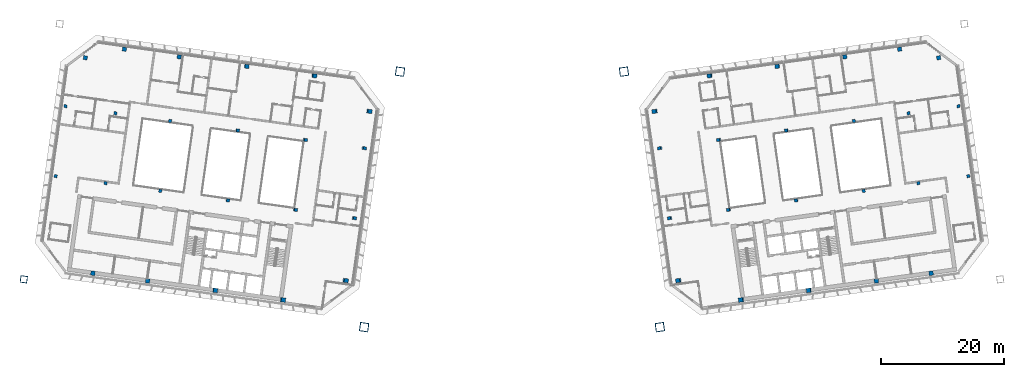
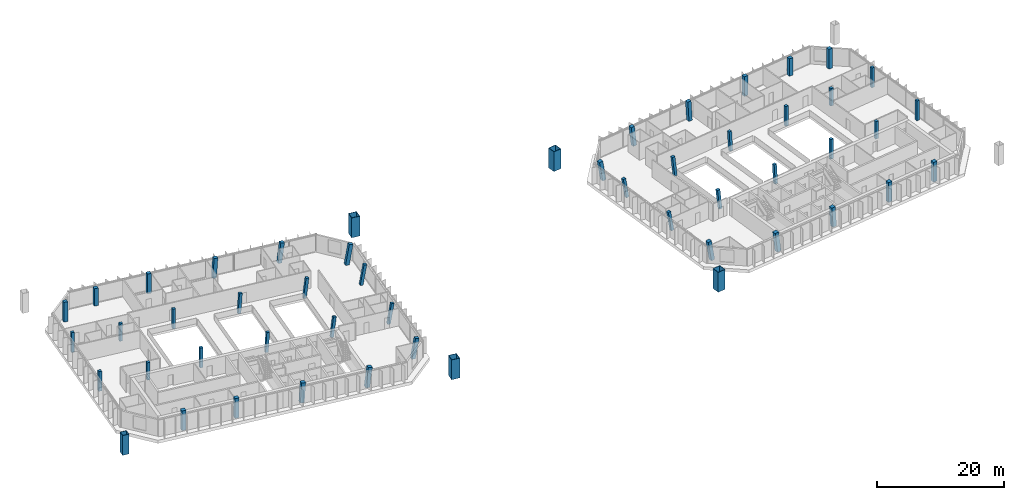
# One storey, part 1 of 20: 50 columns, 1 member.
"""IFC4 building model written with IfcOpenShell, lengths in metres."""

from ifc_helpers import new_model, si_unit, direction, frame, origin, origin_2d, place, context, subcontext, project, spatial, rectangle, hollow_rectangle, extrude, material, material_profile, profile_set, type_object, element, save


model = new_model("IFC4")

# Units and contexts
model_context = context("Model", 3, precision=1e-05, world=origin(), true_north=direction((0.0, 1.0)))
body_context = subcontext(model_context, "Body", "Model", "MODEL_VIEW")
ifc_project = project(units=[si_unit("LENGTHUNIT", "METRE"), si_unit("AREAUNIT", "SQUARE_METRE"), si_unit("VOLUMEUNIT", "CUBIC_METRE"), si_unit("PLANEANGLEUNIT", "RADIAN"), si_unit("MASSUNIT", "GRAM", prefix="KILO")], contexts=[model_context])

# Site, building, storey
site_placement = place(None, origin())
site = spatial("IfcSite", under=ifc_project, at=site_placement, CompositionType="ELEMENT")
building_placement = place(site_placement, origin())
building = spatial("IfcBuilding", under=site, at=building_placement, Name="Mirante Cascada Hotel Towers", CompositionType="ELEMENT")
storey_placement = place(building_placement, frame((0.0, 0.0, 224.2)))
storey = spatial("IfcBuildingStorey", under=building, at=storey_placement, Name="L53", CompositionType="ELEMENT", Elevation=224.2)

# Columns
ifc_material_1 = material(Name="Steel ASTM A572 Gr 50", Category="steel")
ifc_material_profile_1 = material_profile(ifc_material_1, hollow_rectangle(XDim=1.4, YDim=1.4, WallThickness=0.06, at=origin_2d()), Name="Box column 1400x1400x60 ASTM A572 Gr 50")
ifc_profile_set_1 = profile_set([ifc_material_profile_1], Name="Steel ASTM A572 Gr 50")
column_type_1 = type_object("IfcColumnType", Name="Box column 1400x1400x60 ASTM A572 Gr 50", PredefinedType="COLUMN", material=ifc_profile_set_1)
for number, where, z_axis, x_axis, name in (
    (1, (-18.2261, 17.5517, 0.0), (0.0, 0.0, 1.0), (-0.9902681, 0.1391731, 0.0), "Mega column MC1 T1 L53"),
    (2, (-24.0713, -24.0396, 0.0), (0.0, 0.0, 1.0), (-0.9902681, 0.1391731, 0.0), "Mega column MC2 T1 L53"),
    (3, (18.2261, 17.5517, 0.0), (0.0, 0.0, 1.0), (0.9902681, 0.1391731, 0.0), "Mega column MC1 T2 L53"),
    (4, (24.0713, -24.0396, 0.0), (0.0, 0.0, 1.0), (0.9902681, 0.1391731, 0.0), "Mega column MC2 T2 L53"),
):
    element("IfcColumn", number, at=place(storey_placement, frame(where, z_axis=z_axis, x_axis=x_axis)), inside=storey, type_object=column_type_1, Name=name, PredefinedType="COLUMN", context=body_context, shape_type="SweptSolid", body=[
        extrude(hollow_rectangle(XDim=1.4, YDim=1.4, WallThickness=0.06, at=origin_2d()), origin(), (0.0, 0.0, 1.0), 3.8),
    ])
ifc_material_2 = material(Name="Concrete C50/60", Category="concrete")
ifc_material_profile_2 = material_profile(ifc_material_2, rectangle(XDim=0.5, YDim=0.5, at=origin_2d()), Name="RC column 500x500 C50/60")
ifc_profile_set_2 = profile_set([ifc_material_profile_2], Name="Concrete C50/60")
column_type_2 = type_object("IfcColumnType", Name="RC column 500x500 C50/60", PredefinedType="COLUMN", material=ifc_profile_set_2)
for number, where, z_axis, x_axis, name in (
    (5, (-24.1471, 5.1046, 0.0039), (0.1663433, -0.0233957, 0.9857903), (0.1392762, 0.9902536, 0.0), "Column T1 L53 2"),
    (6, (-25.7476, -6.2835, 0.0039), (0.1663434, -0.0233697, 0.9857909), (0.1391244, 0.9902749, 0.0), "Column T1 L53 3"),
):
    element("IfcColumn", number, at=place(storey_placement, frame(where, z_axis=z_axis, x_axis=x_axis)), inside=storey, type_object=column_type_2, Name=name, PredefinedType="COLUMN", context=body_context, shape_type="SweptSolid", body=[
        extrude(rectangle(XDim=0.5, YDim=0.5, at=origin_2d()), origin(), (0.0, 0.0, 1.0), 3.8469),
    ])
for number, where, z_axis, x_axis, name in (
    (7, (-33.6907, 6.4458, 0.004), (0.1180344, -0.016574, 0.9928712), (0.1390529, 0.990285, 0.0), "Column T1 L53 6"),
    (8, (-35.2912, -4.9422, 0.004), (0.1180343, -0.0166002, 0.9928708), (0.1392683, 0.9902547, 0.0), "Column T1 L53 7"),
):
    element("IfcColumn", number, at=place(storey_placement, frame(where, z_axis=z_axis, x_axis=x_axis)), inside=storey, type_object=column_type_2, Name=name, PredefinedType="COLUMN", context=body_context, shape_type="SweptSolid", body=[
        extrude(rectangle(XDim=0.5, YDim=0.5, at=origin_2d()), origin(), (0.0, 0.0, 1.0), 3.8192),
    ])
for number, where, z_axis, x_axis, name in (
    (9, (-44.6677, 7.9886, 0.004), (0.0593341, -0.0083447, 0.9982033), (0.1392683, 0.9902547, 0.0), "Column T1 L53 10"),
    (10, (-46.2682, -3.3995, 0.004), (0.0593341, -0.0083447, 0.9982033), (0.1392683, 0.9902547, 0.0), "Column T1 L53 11"),
):
    element("IfcColumn", number, at=place(storey_placement, frame(where, z_axis=z_axis, x_axis=x_axis)), inside=storey, type_object=column_type_2, Name=name, PredefinedType="COLUMN", context=body_context, shape_type="SweptSolid", body=[
        extrude(rectangle(XDim=0.5, YDim=0.5, at=origin_2d()), origin(), (0.0, 0.0, 1.0), 3.7988),
    ])
for number, where, z_axis, x_axis, name in (
    (11, (-55.6447, 9.5313, 0.0), (0.0, 0.0, 1.0), (-0.9902681, 0.1391731, 0.0), "Column T1 L53 14"),
    (12, (-57.2452, -1.8568, 0.0), (0.0, 0.0, 1.0), (-0.9902681, 0.1391731, 0.0), "Column T1 L53 15"),
):
    element("IfcColumn", number, at=place(storey_placement, frame(where, z_axis=z_axis, x_axis=x_axis)), inside=storey, type_object=column_type_2, Name=name, PredefinedType="COLUMN", context=body_context, shape_type="SweptSolid", body=[
        extrude(rectangle(XDim=0.5, YDim=0.5, at=origin_2d()), origin(), (0.0, 0.0, 1.0), 3.8),
    ])
for number, where, z_axis, x_axis, name in (
    (13, (-64.5571, 10.7838, 0.0), (0.0, 0.0, 1.0), (-0.9902681, 0.1391731, 0.0), "Column T1 L53 18"),
    (14, (-66.1576, -0.6042, 0.0), (0.0, 0.0, 1.0), (-0.9902681, 0.1391731, 0.0), "Column T1 L53 19"),
):
    element("IfcColumn", number, at=place(storey_placement, frame(where, z_axis=z_axis, x_axis=x_axis)), inside=storey, type_object=column_type_2, Name=name, PredefinedType="COLUMN", context=body_context, shape_type="SweptSolid", body=[
        extrude(rectangle(XDim=0.5, YDim=0.5, at=origin_2d()), origin(), (0.0, 0.0, 1.0), 3.3539),
    ])
for number, where, z_axis, x_axis, name in (
    (15, (-72.6773, 11.9251, 0.0), (0.0, 0.0, 1.0), (-0.9902681, 0.1391731, 0.0), "Column T1 L53 22"),
    (16, (-74.2778, 0.537, 0.0), (0.0, 0.0, 1.0), (-0.9902681, 0.1391731, 0.0), "Column T1 L53 23"),
):
    element("IfcColumn", number, at=place(storey_placement, frame(where, z_axis=z_axis, x_axis=x_axis)), inside=storey, type_object=column_type_2, Name=name, PredefinedType="COLUMN", context=body_context, shape_type="SweptSolid", body=[
        extrude(rectangle(XDim=0.5, YDim=0.5, at=origin_2d()), origin(), (0.0, 0.0, 1.0), 3.8),
    ])
for number, where, z_axis, x_axis, name in (
    (17, (24.1471, 5.1046, 0.0039), (-0.1663433, -0.0233957, 0.9857903), (0.1392762, -0.9902536, 0.0), "Column T2 L53 2"),
    (18, (25.7476, -6.2835, 0.0039), (-0.1663434, -0.0233697, 0.9857909), (0.1391244, -0.9902749, 0.0), "Column T2 L53 3"),
):
    element("IfcColumn", number, at=place(storey_placement, frame(where, z_axis=z_axis, x_axis=x_axis)), inside=storey, type_object=column_type_2, Name=name, PredefinedType="COLUMN", context=body_context, shape_type="SweptSolid", body=[
        extrude(rectangle(XDim=0.5, YDim=0.5, at=origin_2d()), origin(), (0.0, 0.0, 1.0), 3.8469),
    ])
for number, where, z_axis, x_axis, name in (
    (19, (33.6907, 6.4458, 0.004), (-0.1180344, -0.016574, 0.9928712), (0.1390529, -0.990285, 0.0), "Column T2 L53 6"),
    (20, (35.2912, -4.9422, 0.004), (-0.1180343, -0.0166002, 0.9928708), (0.1392683, -0.9902547, 0.0), "Column T2 L53 7"),
):
    element("IfcColumn", number, at=place(storey_placement, frame(where, z_axis=z_axis, x_axis=x_axis)), inside=storey, type_object=column_type_2, Name=name, PredefinedType="COLUMN", context=body_context, shape_type="SweptSolid", body=[
        extrude(rectangle(XDim=0.5, YDim=0.5, at=origin_2d()), origin(), (0.0, 0.0, 1.0), 3.8192),
    ])
for number, where, z_axis, x_axis, name in (
    (21, (44.6677, 7.9886, 0.004), (-0.0593341, -0.0083447, 0.9982033), (0.1392683, -0.9902547, 0.0), "Column T2 L53 10"),
    (22, (46.2682, -3.3995, 0.004), (-0.0593341, -0.0083447, 0.9982033), (0.1392683, -0.9902547, 0.0), "Column T2 L53 11"),
):
    element("IfcColumn", number, at=place(storey_placement, frame(where, z_axis=z_axis, x_axis=x_axis)), inside=storey, type_object=column_type_2, Name=name, PredefinedType="COLUMN", context=body_context, shape_type="SweptSolid", body=[
        extrude(rectangle(XDim=0.5, YDim=0.5, at=origin_2d()), origin(), (0.0, 0.0, 1.0), 3.7988),
    ])
for number, where, z_axis, x_axis, name in (
    (23, (55.6447, 9.5313, 0.0), (0.0, 0.0, 1.0), (0.9902681, 0.1391731, 0.0), "Column T2 L53 14"),
    (24, (57.2452, -1.8568, 0.0), (0.0, 0.0, 1.0), (0.9902681, 0.1391731, 0.0), "Column T2 L53 15"),
):
    element("IfcColumn", number, at=place(storey_placement, frame(where, z_axis=z_axis, x_axis=x_axis)), inside=storey, type_object=column_type_2, Name=name, PredefinedType="COLUMN", context=body_context, shape_type="SweptSolid", body=[
        extrude(rectangle(XDim=0.5, YDim=0.5, at=origin_2d()), origin(), (0.0, 0.0, 1.0), 3.8),
    ])
for number, where, z_axis, x_axis, name in (
    (25, (64.5571, 10.7838, 0.0), (0.0, 0.0, 1.0), (0.9902681, 0.1391731, 0.0), "Column T2 L53 18"),
    (26, (66.1576, -0.6042, 0.0), (0.0, 0.0, 1.0), (0.9902681, 0.1391731, 0.0), "Column T2 L53 19"),
):
    element("IfcColumn", number, at=place(storey_placement, frame(where, z_axis=z_axis, x_axis=x_axis)), inside=storey, type_object=column_type_2, Name=name, PredefinedType="COLUMN", context=body_context, shape_type="SweptSolid", body=[
        extrude(rectangle(XDim=0.5, YDim=0.5, at=origin_2d()), origin(), (0.0, 0.0, 1.0), 3.3539),
    ])
for number, where, z_axis, x_axis, name in (
    (27, (72.6773, 11.9251, 0.0), (0.0, 0.0, 1.0), (0.9902681, 0.1391731, 0.0), "Column T2 L53 22"),
    (28, (74.2778, 0.537, 0.0), (0.0, 0.0, 1.0), (0.9902681, 0.1391731, 0.0), "Column T2 L53 23"),
):
    element("IfcColumn", number, at=place(storey_placement, frame(where, z_axis=z_axis, x_axis=x_axis)), inside=storey, type_object=column_type_2, Name=name, PredefinedType="COLUMN", context=body_context, shape_type="SweptSolid", body=[
        extrude(rectangle(XDim=0.5, YDim=0.5, at=origin_2d()), origin(), (0.0, 0.0, 1.0), 3.8),
    ])
ifc_material_3 = material(Name="Concrete C50/60", Category="concrete")
ifc_material_profile_3 = material_profile(ifc_material_3, rectangle(XDim=0.65, YDim=0.65, at=origin_2d()), Name="RC column 650x650 C50/60")
ifc_profile_set_3 = profile_set([ifc_material_profile_3], Name="Concrete C50/60")
column_type_3 = type_object("IfcColumnType", Name="RC column 650x650 C50/60", PredefinedType="COLUMN", material=ifc_profile_set_3)
column_1_placement = place(storey_placement, frame((-23.3051, 11.0957, 0.0039), z_axis=(0.1663434, -0.0233697, 0.9857909), x_axis=(0.1391244, 0.9902749, 0.0)))
element("IfcColumn", 29, at=column_1_placement, inside=storey, type_object=column_type_3, Name="Column T1 L53 1", PredefinedType="COLUMN", context=body_context, shape_type="SweptSolid", body=[
    extrude(rectangle(XDim=0.65, YDim=0.65, at=origin_2d()), origin(), (0.0, 0.0, 1.0), 3.8469),
])
column_2_placement = place(storey_placement, frame((-27.1741, -16.4338, 0.0039), z_axis=(0.1663182, -0.0233698, 0.9857952), x_axis=(0.1391457, 0.9902719, 0.0)))
element("IfcColumn", 30, at=column_2_placement, inside=storey, type_object=column_type_3, Name="Column T1 L53 4", PredefinedType="COLUMN", context=body_context, shape_type="SweptSolid", body=[
    extrude(rectangle(XDim=0.65, YDim=0.65, at=origin_2d()), origin(), (0.0, 0.0, 1.0), 3.8468),
])
column_3_placement = place(storey_placement, frame((-32.2259, 16.8684, 0.004), z_axis=(0.1180344, -0.016574, 0.9928712), x_axis=(0.1390529, 0.990285, 0.0)))
element("IfcColumn", 31, at=column_3_placement, inside=storey, type_object=column_type_3, Name="Column T1 L53 5", PredefinedType="COLUMN", context=body_context, shape_type="SweptSolid", body=[
    extrude(rectangle(XDim=0.65, YDim=0.65, at=origin_2d()), origin(), (0.0, 0.0, 1.0), 3.8192),
])
column_4_placement = place(storey_placement, frame((-43.2029, 18.4111, 0.004), z_axis=(0.0593341, -0.0083184, 0.9982035), x_axis=(0.1388374, 0.9903152, 0.0)))
element("IfcColumn", 32, at=column_4_placement, inside=storey, type_object=column_type_3, Name="Column T1 L53 9", PredefinedType="COLUMN", context=body_context, shape_type="SweptSolid", body=[
    extrude(rectangle(XDim=0.65, YDim=0.65, at=origin_2d()), origin(), (0.0, 0.0, 1.0), 3.7988),
])
column_5_placement = place(storey_placement, frame((-54.1799, 19.9538, 0.0), z_axis=(0.0, 0.0, 1.0), x_axis=(-0.9902681, 0.1391731, 0.0)))
element("IfcColumn", 33, at=column_5_placement, inside=storey, type_object=column_type_3, Name="Column T1 L53 13", PredefinedType="COLUMN", context=body_context, shape_type="SweptSolid", body=[
    extrude(rectangle(XDim=0.65, YDim=0.65, at=origin_2d()), origin(), (0.0, 0.0, 1.0), 3.8),
])
column_6_placement = place(storey_placement, frame((-63.0923, 21.2064, 0.0), z_axis=(0.0, 0.0, 1.0), x_axis=(-0.9902681, 0.1391731, 0.0)))
element("IfcColumn", 34, at=column_6_placement, inside=storey, type_object=column_type_3, Name="Column T1 L53 17", PredefinedType="COLUMN", context=body_context, shape_type="SweptSolid", body=[
    extrude(rectangle(XDim=0.65, YDim=0.65, at=origin_2d()), origin(), (0.0, 0.0, 1.0), 3.3529),
])
column_7_placement = place(storey_placement, frame((-69.4496, 19.8025, 0.0), z_axis=(0.0, 0.0, 1.0), x_axis=(-0.9902681, 0.1391731, 0.0)))
element("IfcColumn", 35, at=column_7_placement, inside=storey, type_object=column_type_3, Name="Column T1 L53 21", PredefinedType="COLUMN", context=body_context, shape_type="SweptSolid", body=[
    extrude(rectangle(XDim=0.65, YDim=0.65, at=origin_2d()), origin(), (0.0, 0.0, 1.0), 3.8),
])
column_8_placement = place(storey_placement, frame((23.3051, 11.0957, 0.0039), z_axis=(-0.1663434, -0.0233697, 0.9857909), x_axis=(0.1391244, -0.9902749, 0.0)))
element("IfcColumn", 36, at=column_8_placement, inside=storey, type_object=column_type_3, Name="Column T2 L53 1", PredefinedType="COLUMN", context=body_context, shape_type="SweptSolid", body=[
    extrude(rectangle(XDim=0.65, YDim=0.65, at=origin_2d()), origin(), (0.0, 0.0, 1.0), 3.8469),
])
column_9_placement = place(storey_placement, frame((27.1741, -16.4338, 0.0039), z_axis=(-0.1663182, -0.0233698, 0.9857952), x_axis=(0.1391457, -0.9902719, 0.0)))
element("IfcColumn", 37, at=column_9_placement, inside=storey, type_object=column_type_3, Name="Column T2 L53 4", PredefinedType="COLUMN", context=body_context, shape_type="SweptSolid", body=[
    extrude(rectangle(XDim=0.65, YDim=0.65, at=origin_2d()), origin(), (0.0, 0.0, 1.0), 3.8468),
])
column_10_placement = place(storey_placement, frame((32.2259, 16.8684, 0.004), z_axis=(-0.1180344, -0.016574, 0.9928712), x_axis=(0.1390529, -0.990285, 0.0)))
element("IfcColumn", 38, at=column_10_placement, inside=storey, type_object=column_type_3, Name="Column T2 L53 5", PredefinedType="COLUMN", context=body_context, shape_type="SweptSolid", body=[
    extrude(rectangle(XDim=0.65, YDim=0.65, at=origin_2d()), origin(), (0.0, 0.0, 1.0), 3.8192),
])
column_11_placement = place(storey_placement, frame((43.2029, 18.4111, 0.004), z_axis=(-0.0593341, -0.0083184, 0.9982035), x_axis=(0.1388374, -0.9903152, 0.0)))
element("IfcColumn", 39, at=column_11_placement, inside=storey, type_object=column_type_3, Name="Column T2 L53 9", PredefinedType="COLUMN", context=body_context, shape_type="SweptSolid", body=[
    extrude(rectangle(XDim=0.65, YDim=0.65, at=origin_2d()), origin(), (0.0, 0.0, 1.0), 3.7988),
])
column_12_placement = place(storey_placement, frame((54.1799, 19.9538, 0.0), z_axis=(0.0, 0.0, 1.0), x_axis=(0.9902681, 0.1391731, 0.0)))
element("IfcColumn", 40, at=column_12_placement, inside=storey, type_object=column_type_3, Name="Column T2 L53 13", PredefinedType="COLUMN", context=body_context, shape_type="SweptSolid", body=[
    extrude(rectangle(XDim=0.65, YDim=0.65, at=origin_2d()), origin(), (0.0, 0.0, 1.0), 3.8),
])
column_13_placement = place(storey_placement, frame((63.0923, 21.2064, 0.0), z_axis=(0.0, 0.0, 1.0), x_axis=(0.9902681, 0.1391731, 0.0)))
element("IfcColumn", 41, at=column_13_placement, inside=storey, type_object=column_type_3, Name="Column T2 L53 17", PredefinedType="COLUMN", context=body_context, shape_type="SweptSolid", body=[
    extrude(rectangle(XDim=0.65, YDim=0.65, at=origin_2d()), origin(), (0.0, 0.0, 1.0), 3.3529),
])
column_14_placement = place(storey_placement, frame((69.4496, 19.8025, 0.0), z_axis=(0.0, 0.0, 1.0), x_axis=(0.9902681, 0.1391731, 0.0)))
element("IfcColumn", 42, at=column_14_placement, inside=storey, type_object=column_type_3, Name="Column T2 L53 21", PredefinedType="COLUMN", context=body_context, shape_type="SweptSolid", body=[
    extrude(rectangle(XDim=0.65, YDim=0.65, at=origin_2d()), origin(), (0.0, 0.0, 1.0), 3.8),
])
ifc_material_4 = material(Name="Concrete C50/60", Category="concrete")
ifc_material_profile_4 = material_profile(ifc_material_4, rectangle(XDim=0.7, YDim=0.7, at=origin_2d()), Name="RC column 700x700 C50/60")
ifc_profile_set_4 = profile_set([ifc_material_profile_4], Name="Concrete C50/60")
column_type_4 = type_object("IfcColumnType", Name="RC column 700x700 C50/60", PredefinedType="COLUMN", material=ifc_profile_set_4)
column_15_placement = place(storey_placement, frame((-37.3509, -19.5982, 0.004), z_axis=(0.1180343, -0.0166002, 0.9928708), x_axis=(0.1392683, 0.9902547, 0.0)))
element("IfcColumn", 43, at=column_15_placement, inside=storey, type_object=column_type_4, Name="Column T1 L53 8", PredefinedType="COLUMN", context=body_context, shape_type="SweptSolid", body=[
    extrude(rectangle(XDim=0.7, YDim=0.7, at=origin_2d()), origin(), (0.0, 0.0, 1.0), 3.8192),
])
column_16_placement = place(storey_placement, frame((-48.328, -18.0555, 0.004), z_axis=(0.0593341, -0.0083447, 0.9982033), x_axis=(0.1392683, 0.9902547, 0.0)))
element("IfcColumn", 44, at=column_16_placement, inside=storey, type_object=column_type_4, Name="Column T1 L53 12", PredefinedType="COLUMN", context=body_context, shape_type="SweptSolid", body=[
    extrude(rectangle(XDim=0.7, YDim=0.7, at=origin_2d()), origin(), (0.0, 0.0, 1.0), 3.7988),
])
for number, where, z_axis, x_axis, name in (
    (45, (-59.305, -16.5128, 0.0), (0.0, 0.0, 1.0), (-0.9902681, 0.1391731, 0.0), "Column T1 L53 16"),
    (46, (-68.2174, -15.2602, 0.0), (0.0, 0.0, 1.0), (-0.9902681, 0.1391731, 0.0), "Column T1 L53 20"),
):
    element("IfcColumn", number, at=place(storey_placement, frame(where, z_axis=z_axis, x_axis=x_axis)), inside=storey, type_object=column_type_4, Name=name, PredefinedType="COLUMN", context=body_context, shape_type="SweptSolid", body=[
        extrude(rectangle(XDim=0.7, YDim=0.7, at=origin_2d()), origin(), (0.0, 0.0, 1.0), 3.8),
    ])
column_17_placement = place(storey_placement, frame((37.3509, -19.5982, 0.004), z_axis=(-0.1180343, -0.0166002, 0.9928708), x_axis=(0.1392683, -0.9902547, 0.0)))
element("IfcColumn", 47, at=column_17_placement, inside=storey, type_object=column_type_4, Name="Column T2 L53 8", PredefinedType="COLUMN", context=body_context, shape_type="SweptSolid", body=[
    extrude(rectangle(XDim=0.7, YDim=0.7, at=origin_2d()), origin(), (0.0, 0.0, 1.0), 3.8192),
])
column_18_placement = place(storey_placement, frame((48.328, -18.0555, 0.004), z_axis=(-0.0593341, -0.0083447, 0.9982033), x_axis=(0.1392683, -0.9902547, 0.0)))
element("IfcColumn", 48, at=column_18_placement, inside=storey, type_object=column_type_4, Name="Column T2 L53 12", PredefinedType="COLUMN", context=body_context, shape_type="SweptSolid", body=[
    extrude(rectangle(XDim=0.7, YDim=0.7, at=origin_2d()), origin(), (0.0, 0.0, 1.0), 3.7988),
])
for number, where, z_axis, x_axis, name in (
    (49, (59.305, -16.5128, 0.0), (0.0, 0.0, 1.0), (0.9902681, 0.1391731, 0.0), "Column T2 L53 16"),
    (50, (68.2174, -15.2602, 0.0), (0.0, 0.0, 1.0), (0.9902681, 0.1391731, 0.0), "Column T2 L53 20"),
):
    element("IfcColumn", number, at=place(storey_placement, frame(where, z_axis=z_axis, x_axis=x_axis)), inside=storey, type_object=column_type_4, Name=name, PredefinedType="COLUMN", context=body_context, shape_type="SweptSolid", body=[
        extrude(rectangle(XDim=0.7, YDim=0.7, at=origin_2d()), origin(), (0.0, 0.0, 1.0), 3.8),
    ])

# Member
ifc_material_5 = material(Name="Steel ASTM A572 Gr 50", Category="steel")
ifc_material_profile_5 = material_profile(ifc_material_5, hollow_rectangle(XDim=1.1, YDim=1.1, WallThickness=0.05, at=origin_2d()), Name="Box post 1100x1100x50 ASTM A572 Gr 50")
ifc_profile_set_5 = profile_set([ifc_material_profile_5], Name="Steel ASTM A572 Gr 50")
member_type = type_object("IfcMemberType", Name="Box post 1100x1100x50 ASTM A572 Gr 50", PredefinedType="POST", material=ifc_profile_set_5)
member_placement = place(storey_placement, frame((-79.4652, -16.2545, 0.0), z_axis=(0.0, 0.0, 1.0), x_axis=(-0.9902681, 0.1391731, 0.0)))
element("IfcMember", 51, at=member_placement, inside=storey, type_object=member_type, Name="Mega column MP4 T1 L53", PredefinedType="POST", context=body_context, shape_type="SweptSolid", body=[
    extrude(hollow_rectangle(XDim=1.1, YDim=1.1, WallThickness=0.05, at=origin_2d()), origin(), (0.0, 0.0, 1.0), 3.8),
])

save(model, "model.ifc")
